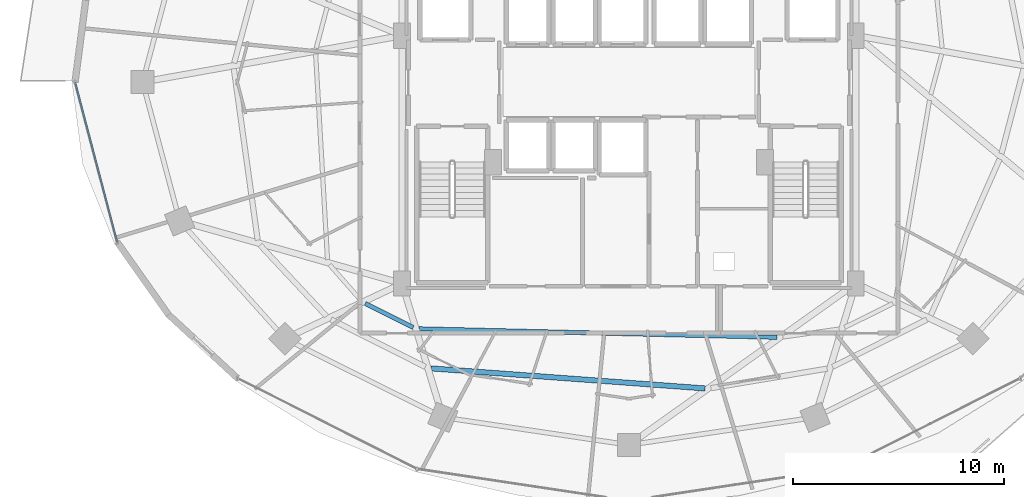
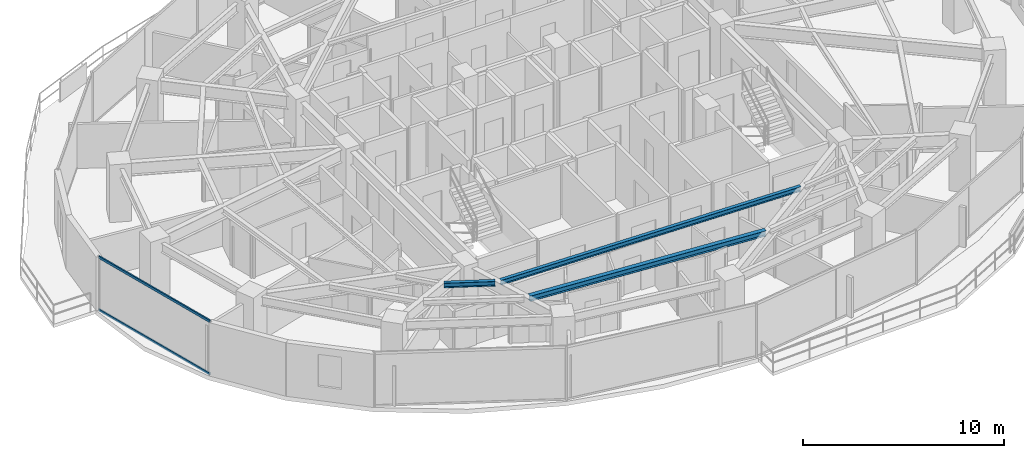
# One storey, part 5 of 29: 3 beams, 2 members, 1 element without a shape of its own.
"""IFC4 building model written with IfcOpenShell, lengths in metres."""

import ifcopenshell
import ifcopenshell.guid

model = None  # the IFC model being written
_history = None  # IfcOwnerHistory: only IFC2X3 demands one
_inside = {}  # id of a spatial element -> (the spatial element, [elements in it])
_under = {}  # id of a project, library or spatial element -> (it, [spatial elements below it])
_declared = {}  # id of a project -> (the project, [libraries it declares])
_typed = {}  # id of a type object -> (the type object, [elements of that type])
_made_of = {}  # id of a material, layer set ... -> (it, [elements and type objects made of it])


def new_model(schema):
    """Start an empty IFC model of exactly this schema.

    Asked for "IFC4X3", IfcOpenShell would pick the latest addendum, in which some entities
    have other attributes; the version numbers below select the first issue.
    IFC2X3 requires an IfcOwnerHistory on every rooted entity: one is made here for all.
    """
    global model, _history
    if schema == "IFC4X3":
        model = ifcopenshell.file(schema_version=(4, 3, 0, 0))
    else:
        model = ifcopenshell.file(schema=schema)
    _inside.clear()
    _under.clear()
    _declared.clear()
    _typed.clear()
    _made_of.clear()
    _history = None
    if model.schema == "IFC2X3":
        org = make("IfcOrganization", Name="unknown")
        user = make(
            "IfcPersonAndOrganization",
            ThePerson=make("IfcPerson", FamilyName="unknown"),
            TheOrganization=org,
        )
        app = make(
            "IfcApplication",
            ApplicationDeveloper=org,
            Version="unknown",
            ApplicationFullName="unknown",
            ApplicationIdentifier="unknown",
        )
        _history = make(
            "IfcOwnerHistory",
            OwningUser=user,
            OwningApplication=app,
            ChangeAction="ADDED",
            CreationDate=0,
        )
    return model


def make(cls, **values):
    """One entity of the class cls with the attributes given. An attribute that is None is left unset."""
    return model.create_entity(
        cls, **{name: value for name, value in values.items() if value is not None}
    )


def rooted(cls, **values):
    """An entity with a GlobalId (a new one), such as an element, a storey or a relation."""
    return make(cls, GlobalId=ifcopenshell.guid.new(), OwnerHistory=_history, **values)


def si_unit(unit_type, name, prefix=None):
    """IfcSIUnit, for example si_unit("LENGTHUNIT", "METRE", prefix="MILLI")."""
    return make("IfcSIUnit", UnitType=unit_type, Prefix=prefix, Name=name)


def assignment(units):
    """IfcUnitAssignment: the units of a project."""
    return None if units is None else make("IfcUnitAssignment", Units=units)


def point(xyz):
    """IfcCartesianPoint."""
    return None if xyz is None else make("IfcCartesianPoint", Coordinates=xyz)


def direction(xyz):
    """IfcDirection."""
    return None if xyz is None else make("IfcDirection", DirectionRatios=xyz)


def frame(location, z_axis=None, x_axis=None):
    """IfcAxis2Placement3D, a coordinate frame: its origin and axes. An axis left out is left unset."""
    return make(
        "IfcAxis2Placement3D",
        Location=point(location),
        Axis=direction(z_axis),
        RefDirection=direction(x_axis),
    )


def frame_2d(location, x_axis=None):
    """IfcAxis2Placement2D, a coordinate frame in the plane: its origin and x axis."""
    return make(
        "IfcAxis2Placement2D", Location=point(location), RefDirection=direction(x_axis)
    )


def origin():
    """The frame at (0, 0, 0) with its axes left unset."""
    return frame((0.0, 0.0, 0.0))


def origin_2d():
    """The frame at (0, 0) in the plane with its x axis left unset."""
    return frame_2d((0.0, 0.0))


def place(relative_to, where):
    """IfcLocalPlacement: puts the frame where relative to a parent placement (None: the world)."""
    return make(
        "IfcLocalPlacement", PlacementRelTo=relative_to, RelativePlacement=where
    )


def context(
    kind, dimensions, precision=None, world=None, true_north=None, identifier=None
):
    """IfcGeometricRepresentationContext, for example the 3D "Model" context."""
    return make(
        "IfcGeometricRepresentationContext",
        ContextIdentifier=identifier,
        ContextType=kind,
        CoordinateSpaceDimension=dimensions,
        Precision=precision,
        WorldCoordinateSystem=world,
        TrueNorth=true_north,
    )


def subcontext(parent, identifier, kind, view, scale=None):
    """IfcGeometricRepresentationSubContext, for example "Body" below "Model"."""
    return make(
        "IfcGeometricRepresentationSubContext",
        ContextIdentifier=identifier,
        ContextType=kind,
        ParentContext=parent,
        TargetScale=scale,
        TargetView=view,
    )


def project(units=None, contexts=None):
    """IfcProject with its units and contexts."""
    return rooted(
        "IfcProject",
        Name="project",
        RepresentationContexts=contexts,
        UnitsInContext=assignment(units),
    )


def spatial(cls, under=None, at=None, **own):
    """A site, building, storey or space (cls), placed at a placement, below another one or the project."""
    s = rooted(cls, ObjectPlacement=at, **own)
    if under is not None:
        _under.setdefault(under.id(), (under, []))[1].append(s)
    return s


def profile(cls, at=None, kind="AREA", **sizes):
    """A parametric profile (cls). Its sizes go by their IFC names, for example OverallWidth=200.0."""
    return make(cls, ProfileType=kind, Position=at, **sizes)


def hollow_rectangle(**sizes):
    """IfcRectangleHollowProfileDef."""
    return profile("IfcRectangleHollowProfileDef", **sizes)


def i_section(**sizes):
    """IfcIShapeProfileDef."""
    return profile("IfcIShapeProfileDef", **sizes)


def extrude(swept, where, along, depth):
    """IfcExtrudedAreaSolid: the profile swept, set in the frame where, extruded along a direction by depth."""
    return make(
        "IfcExtrudedAreaSolid",
        SweptArea=swept,
        Position=where,
        ExtrudedDirection=direction(along),
        Depth=depth,
    )


def shape(context_of_items, identifier, shape_type, items):
    """IfcShapeRepresentation: the items that make up one representation, for example the "Body"."""
    return make(
        "IfcShapeRepresentation",
        ContextOfItems=context_of_items,
        RepresentationIdentifier=identifier,
        RepresentationType=shape_type,
        Items=items,
    )


def material(Name=None, Category=None):
    """IfcMaterial."""
    return make("IfcMaterial", Name=Name, Category=Category)


def material_profile(
    of_material, cross_section, Name=None, Category=None, Priority=None
):
    """IfcMaterialProfile: a cross section and its material."""
    return make(
        "IfcMaterialProfile",
        Name=Name,
        Material=of_material,
        Profile=cross_section,
        Priority=Priority,
        Category=Category,
    )


def profile_set(profiles, Name=None, composite=None):
    """IfcMaterialProfileSet."""
    return make(
        "IfcMaterialProfileSet",
        Name=Name,
        MaterialProfiles=profiles,
        CompositeProfile=composite,
    )


def made_of(thing, what):
    """Note that an element or type object is made of a material, layer set ...; save() writes the relation."""
    if what is not None:
        _made_of.setdefault(what.id(), (what, []))[1].append(thing)
    return thing


def type_object(cls, material=None, **own):
    """A type object (cls), such as IfcWallType, which elements share."""
    return made_of(rooted(cls, **own), material)


def element(
    cls,
    number,
    at=None,
    inside=None,
    cuts=None,
    type_object=None,
    material=None,
    context=None,
    identifier="Body",
    shape_type=None,
    held_by="IfcProductDefinitionShape",
    body=None,
    shapes=None,
    **own,
):
    """One element of the class cls, such as IfcWall. Its Tag is "e" and its number.

    at: its placement. inside: the storey or other place that contains it. cuts: it is an
    opening in that element (IfcRelVoidsElement). A single representation is given by context,
    identifier, shape_type and body (its items); several are given by shapes. held_by: the class
    of the entity that holds the representations. save() writes the other relations.
    """
    e = rooted(cls, Tag="e%d" % number, ObjectPlacement=at, **own)
    if body is not None:
        shapes = [shape(context, identifier, shape_type, body)]
    if shapes is not None:
        e.Representation = make(held_by, Representations=shapes)
    if inside is not None:
        _inside.setdefault(inside.id(), (inside, []))[1].append(e)
    if cuts is not None:
        rooted(
            "IfcRelVoidsElement", RelatingBuildingElement=cuts, RelatedOpeningElement=e
        )
    if type_object is not None:
        _typed.setdefault(type_object.id(), (type_object, []))[1].append(e)
    return made_of(e, material)


def aggregate(whole, parts):
    """IfcRelAggregates: a whole, such as a stair, and the parts it consists of."""
    return rooted("IfcRelAggregates", RelatingObject=whole, RelatedObjects=parts)


def save(model, path):
    """Write the relations noted so far, then the file.

    IfcRelAggregates (storeys below a building ...), IfcRelContainedInSpatialStructure (elements
    in a storey), IfcRelDefinesByType, IfcRelAssociatesMaterial and IfcRelDeclares: one each for
    every whole, place, type object, material and project.
    """
    for whole, parts in _under.values():
        aggregate(whole, parts)
    for where, things in _inside.values():
        rooted(
            "IfcRelContainedInSpatialStructure",
            RelatedElements=things,
            RelatingStructure=where,
        )
    for kind, things in _typed.values():
        rooted("IfcRelDefinesByType", RelatedObjects=things, RelatingType=kind)
    for what, things in _made_of.values():
        rooted("IfcRelAssociatesMaterial", RelatedObjects=things, RelatingMaterial=what)
    for by, libraries in _declared.values():
        rooted("IfcRelDeclares", RelatingContext=by, RelatedDefinitions=libraries)
    model.write(path)


model = new_model("IFC4")

# Units and contexts
model_context = context("Model", 3, precision=1e-05, world=origin(), true_north=direction((0.0, 1.0)))
body_context = subcontext(model_context, "Body", "Model", "MODEL_VIEW")
ifc_project = project(units=[si_unit("LENGTHUNIT", "METRE"), si_unit("AREAUNIT", "SQUARE_METRE"), si_unit("VOLUMEUNIT", "CUBIC_METRE"), si_unit("PLANEANGLEUNIT", "RADIAN"), si_unit("MASSUNIT", "GRAM", prefix="KILO")], contexts=[model_context])

# Site, building, storey
site_placement = place(None, origin())
site = spatial("IfcSite", under=ifc_project, at=site_placement, CompositionType="ELEMENT")
building_placement = place(site_placement, origin())
building = spatial("IfcBuilding", under=site, at=building_placement, Name="Vorneva Point Tower", CompositionType="ELEMENT")
storey_placement = place(building_placement, frame((0.0, 0.0, 110.300048828125)))
storey = spatial("IfcBuildingStorey", under=building, at=storey_placement, Name="L29", CompositionType="ELEMENT", Elevation=110.300048828125)

# Beams
ifc_material_1 = material(Name="Steel S355", Category="steel")
ifc_material_profile_1 = material_profile(ifc_material_1, i_section(OverallWidth=0.199951171875, OverallDepth=0.291015625, WebThickness=0.008056640625, FlangeThickness=0.010986328125, at=origin_2d()), Name="30Sh1")
ifc_profile_set_1 = profile_set([ifc_material_profile_1], Name="Steel S355")
beam_type_1 = type_object("IfcBeamType", Name="BM-SEC-30Sh1", PredefinedType="BEAM", material=ifc_profile_set_1)
beam_1_placement = place(storey_placement, frame((25.4970703125, 15.505126953125, 3.094482421875), z_axis=(0.895364579083, -0.445333886566, 0.0), x_axis=(0.445333886566, 0.895364579083, 0.0)))
element("IfcBeam", 1, at=beam_1_placement, inside=storey, type_object=beam_type_1, Name="L29 Secondary Floor Beam 2.11", PredefinedType="BEAM", context=body_context, shape_type="SweptSolid", body=[
    extrude(i_section(OverallWidth=0.199951171875, OverallDepth=0.291015625, WebThickness=0.008056640625, FlangeThickness=0.010986328125, at=origin_2d()), origin(), (0.0, 0.0, 1.0), 2.547119140625),
])
beam_2_placement = place(storey_placement, frame((28.039306640625, 14.30615234375, 3.094482421875), z_axis=(0.999713718742, -0.023926565974, 0.0), x_axis=(0.023926565974, 0.999713718742, 0.0)))
element("IfcBeam", 2, at=beam_2_placement, inside=storey, type_object=beam_type_1, Name="L29 Secondary Floor Beam 2.12", PredefinedType="BEAM", context=body_context, shape_type="SweptSolid", body=[
    extrude(i_section(OverallWidth=0.199951171875, OverallDepth=0.291015625, WebThickness=0.008056640625, FlangeThickness=0.010986328125, at=origin_2d()), origin(), (0.0, 0.0, 1.0), 16.9892578125),
])
ifc_material_profile_2 = material_profile(ifc_material_1, i_section(OverallWidth=0.2490234375, OverallDepth=0.333984375, WebThickness=0.008056640625, FlangeThickness=0.010986328125, at=origin_2d()), Name="35Sh1")
ifc_profile_set_2 = profile_set([ifc_material_profile_2], Name="Steel S355")
beam_type_2 = type_object("IfcBeamType", Name="BM-SEC-35Sh1", PredefinedType="BEAM", material=ifc_profile_set_2)
beam_3_placement = place(storey_placement, frame((28.60791015625, 12.42919921875, 3.072998046875), z_axis=(0.997338408096, -0.072911588494, 0.0), x_axis=(0.072911588494, 0.997338408096, 0.0)))
element("IfcBeam", 3, at=beam_3_placement, inside=storey, type_object=beam_type_2, Name="L29 Secondary Floor Beam 1.12", PredefinedType="BEAM", context=body_context, shape_type="SweptSolid", body=[
    extrude(i_section(OverallWidth=0.2490234375, OverallDepth=0.333984375, WebThickness=0.008056640625, FlangeThickness=0.010986328125, at=origin_2d()), origin(), (0.0, 0.0, 1.0), 13.038818359375),
])

# Curtain wall, members
ifc_material_2 = material(Name="Pale anodised aluminium", Category="aluminium")
curtain_wall_type = type_object("IfcCurtainWallType", Name="CW-HTL-SYS", PredefinedType="NOTDEFINED", material=ifc_material_2)
curtain_wall_placement = place(storey_placement, origin())
curtain_wall = element("IfcCurtainWall", 4, at=curtain_wall_placement, inside=storey, type_object=curtain_wall_type, Name="L29 Unitised Curtain Wall CW-L29-R03", PredefinedType="NOTDEFINED")
ifc_material_profile_3 = material_profile(ifc_material_2, hollow_rectangle(XDim=0.074951171875, YDim=0.14990234375, WallThickness=0.00390625, at=origin_2d()), Name="AL-TRN 150x75x4")
ifc_profile_set_3 = profile_set([ifc_material_profile_3], Name="Pale anodised aluminium")
member_type = type_object("IfcMemberType", Name="CW-TRN-150", PredefinedType="USERDEFINED", material=ifc_profile_set_3)
member_1_placement = place(storey_placement, frame((11.75, 26.0, 0.02001953125), z_axis=(0.254409150465, -0.967096677773, 0.0), x_axis=(0.967096677773, 0.254409150465, 0.0)))
member_1 = element("IfcMember", 5, at=member_1_placement, type_object=member_type, Name="CW-L29-R03 Transom 01.1", ObjectType="TRANSOM", PredefinedType="USERDEFINED", context=body_context, shape_type="SweptSolid", body=[
    extrude(hollow_rectangle(XDim=0.074951171875, YDim=0.14990234375, WallThickness=0.00390625, at=origin_2d()), origin(), (0.0, 0.0, 1.0), 7.854736328125),
])
member_2_placement = place(storey_placement, frame((11.75, 26.0, 3.219970703125), z_axis=(0.254409150465, -0.967096677773, 0.0), x_axis=(0.967096677773, 0.254409150465, 0.0)))
member_2 = element("IfcMember", 6, at=member_2_placement, type_object=member_type, Name="CW-L29-R03 Transom 01.2", ObjectType="TRANSOM", PredefinedType="USERDEFINED", context=body_context, shape_type="SweptSolid", body=[
    extrude(hollow_rectangle(XDim=0.074951171875, YDim=0.14990234375, WallThickness=0.00390625, at=origin_2d()), origin(), (0.0, 0.0, 1.0), 7.854736328125),
])
aggregate(curtain_wall, [member_1, member_2])

save(model, "model.ifc")
